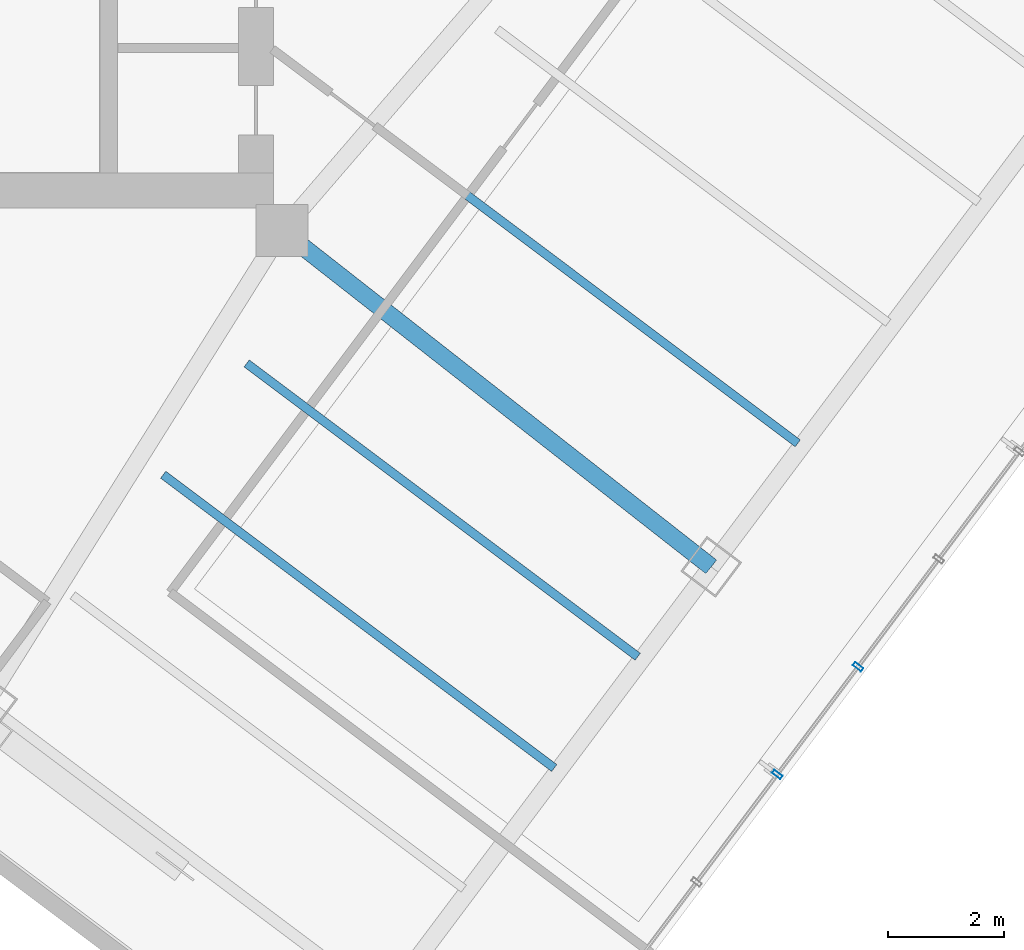
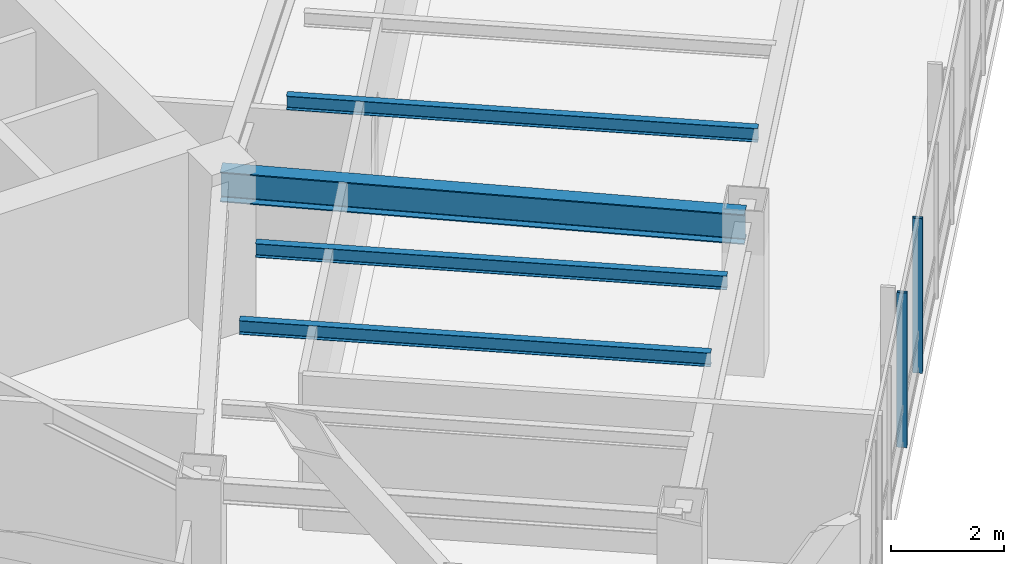
# One storey, part 11 of 28: 4 beams, 2 members, 1 element without a shape of its own.
"""IFC4 building model written with IfcOpenShell, lengths in metres."""

from ifc_helpers import new_model, si_unit, direction, frame, origin, origin_2d, place, context, subcontext, project, spatial, hollow_rectangle, i_section, extrude, material, layer, layer_set, material_profile, profile_set, type_object, element, aggregate, save


model = new_model("IFC4")

# Units and contexts
model_context = context("Model", 3, precision=1e-05, world=origin(), true_north=direction((0.0, 1.0)))
body_context = subcontext(model_context, "Body", "Model", "MODEL_VIEW")
ifc_project = project(units=[si_unit("LENGTHUNIT", "METRE"), si_unit("AREAUNIT", "SQUARE_METRE"), si_unit("VOLUMEUNIT", "CUBIC_METRE"), si_unit("PLANEANGLEUNIT", "RADIAN"), si_unit("MASSUNIT", "GRAM", prefix="KILO")], contexts=[model_context])

# Site, building, storey
site_placement = place(None, origin())
site = spatial("IfcSite", under=ifc_project, at=site_placement, CompositionType="ELEMENT")
building_placement = place(site_placement, origin())
building = spatial("IfcBuilding", under=site, at=building_placement, Name="Hatsunagi Terrace Concourse", CompositionType="ELEMENT")
storey_placement = place(building_placement, frame((0.0, 0.0, 170.85009765625)))
storey = spatial("IfcBuildingStorey", under=building, at=storey_placement, Name="L45", CompositionType="ELEMENT", Elevation=170.85009765625)

# Curtain wall, members
ifc_material_1 = material(Name="Anodised Aluminium Alloy 6063-T5", Category="aluminium")
ifc_layer = layer(ifc_material_1, 0.199951171875)
ifc_layer_set = layer_set([ifc_layer], Name="OfficeZone1_CW03")
curtain_wall_type = type_object("IfcCurtainWallType", Name="OfficeZone1_CW03", PredefinedType="NOTDEFINED", material=ifc_layer_set)
curtain_wall_placement = place(storey_placement, origin())
curtain_wall = element("IfcCurtainWall", 1, at=curtain_wall_placement, inside=storey, type_object=curtain_wall_type, Name="Unitised Curtain Wall CW-03 CW-L45-03", PredefinedType="NOTDEFINED")
ifc_material_2 = material(Name="Anodised Aluminium Alloy 6063-T5", Category="aluminium")
ifc_material_profile_1 = material_profile(ifc_material_2, hollow_rectangle(XDim=0.070068359375, YDim=0.179931640625, WallThickness=0.00390625, at=origin_2d()), Name="ALU-MUL-180x70x4")
ifc_profile_set_1 = profile_set([ifc_material_profile_1], Name="Anodised Aluminium Alloy 6063-T5")
member_type = type_object("IfcMemberType", Name="CurtainWallMullion_180x70", PredefinedType="MULLION", material=ifc_profile_set_1)
member_1_placement = place(storey_placement, frame((53.73193359375, 16.676025390625, 0.0), z_axis=(0.0, 0.0, 1.0), x_axis=(-0.599969314634, -0.800023013105, 0.0)))
member_1 = element("IfcMember", 2, at=member_1_placement, type_object=member_type, Name="Curtain Wall Mullion MUL-02", PredefinedType="MULLION", context=body_context, shape_type="SweptSolid", body=[
    extrude(hollow_rectangle(XDim=0.070068359375, YDim=0.179931640625, WallThickness=0.00390625, at=origin_2d()), origin(), (0.0, 0.0, 1.0), 3.349853515625),
])
member_2_placement = place(storey_placement, frame((52.340087890625, 14.819091796875, 0.0), z_axis=(0.0, 0.0, 1.0), x_axis=(-0.599969314634, -0.800023013105, 0.0)))
member_2 = element("IfcMember", 3, at=member_2_placement, type_object=member_type, Name="Curtain Wall Mullion MUL-02", PredefinedType="MULLION", context=body_context, shape_type="SweptSolid", body=[
    extrude(hollow_rectangle(XDim=0.070068359375, YDim=0.179931640625, WallThickness=0.00390625, at=origin_2d()), origin(), (0.0, 0.0, 1.0), 3.349853515625),
])
aggregate(curtain_wall, [member_1, member_2])

# Beams
ifc_material_3 = material(Name="Steel SN490B", Category="steel")
ifc_material_profile_2 = material_profile(ifc_material_3, i_section(OverallWidth=0.14990234375, OverallDepth=0.300048828125, WebThickness=0.006591796875, FlangeThickness=0.009033203125, FilletRadius=0.010986328125, at=origin_2d()), Name="H-300x150x6.5x9")
ifc_profile_set_2 = profile_set([ifc_material_profile_2], Name="Steel SN490B")
beam_type_1 = type_object("IfcBeamType", Name="OfficeJoist_H_300x150", PredefinedType="JOIST", material=ifc_profile_set_2)
for number, where, z_axis, x_axis, name in (
    (4, (41.748046875, 19.989013671875, 3.199951171875), (0.799989573921, -0.600013901187, 0.0), (0.600013901187, 0.799989573921, 0.0), "Beam J-03 J-L45-SE-2-72"),
    (5, (43.18798828125, 21.908935546875, 3.199951171875), (0.800003475366, -0.59999536615, 0.0), (0.59999536615, 0.800003475366, 0.0), "Beam J-03 J-L45-SE-2-96"),
    (6, (45.947998046875, 25.589111328125, 3.199951171875), (0.799989573921, -0.600013901187, 0.0), (0.600013901187, 0.799989573921, 0.0), "Beam J-03 J-L45-SE-2-142"),
):
    element("IfcBeam", number, at=place(storey_placement, frame(where, z_axis=z_axis, x_axis=x_axis)), inside=storey, type_object=beam_type_1, Name=name, PredefinedType="JOIST", context=body_context, shape_type="SweptSolid", body=[
        extrude(i_section(OverallWidth=0.14990234375, OverallDepth=0.300048828125, WebThickness=0.006591796875, FlangeThickness=0.009033203125, FilletRadius=0.010986328125, at=origin_2d()), origin(), (0.0, 0.0, 1.0), 8.429931640625),
    ])
ifc_material_4 = material(Name="Steel SN490B", Category="steel")
ifc_material_profile_3 = material_profile(ifc_material_4, i_section(OverallWidth=0.300048828125, OverallDepth=0.64990234375, WebThickness=0.012939453125, FlangeThickness=0.02197265625, FilletRadius=0.01806640625, at=origin_2d()), Name="H-650x300x13x22")
ifc_profile_set_3 = profile_set([ifc_material_profile_3], Name="Steel SN490B")
beam_type_2 = type_object("IfcBeamType", Name="OfficeLowGirder_H_650x300", PredefinedType="BEAM", material=ifc_profile_set_3)
beam_placement = place(storey_placement, frame((43.800048828125, 24.199951171875, 3.02490234375), z_axis=(0.787049441068, -0.616889923175, 0.0), x_axis=(0.616889923175, 0.787049441068, 0.0)))
element("IfcBeam", 7, at=beam_placement, inside=storey, type_object=beam_type_2, Name="Beam G-05 BM-L45-SE-M2", PredefinedType="BEAM", context=body_context, shape_type="SweptSolid", body=[
    extrude(i_section(OverallWidth=0.300048828125, OverallDepth=0.64990234375, WebThickness=0.012939453125, FlangeThickness=0.02197265625, FilletRadius=0.01806640625, at=origin_2d()), origin(), (0.0, 0.0, 1.0), 9.402099609375),
])

save(model, "model.ifc")
